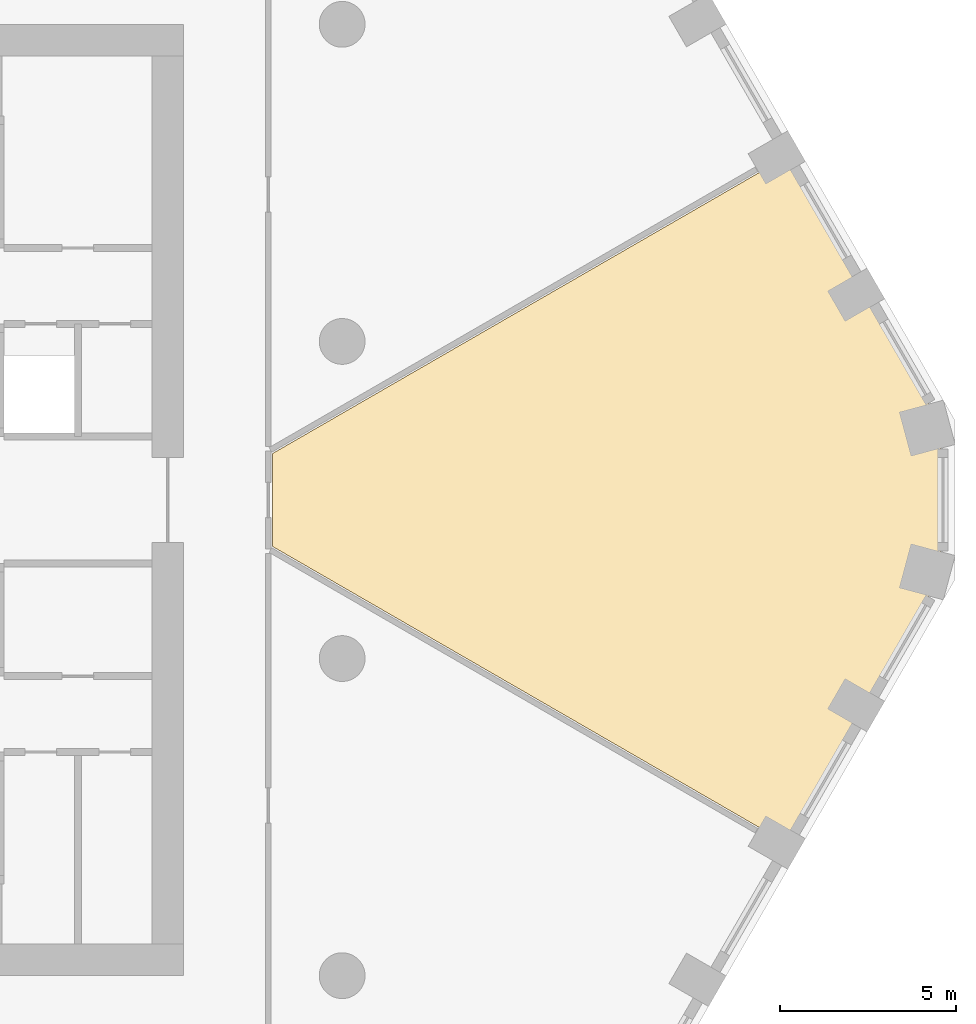
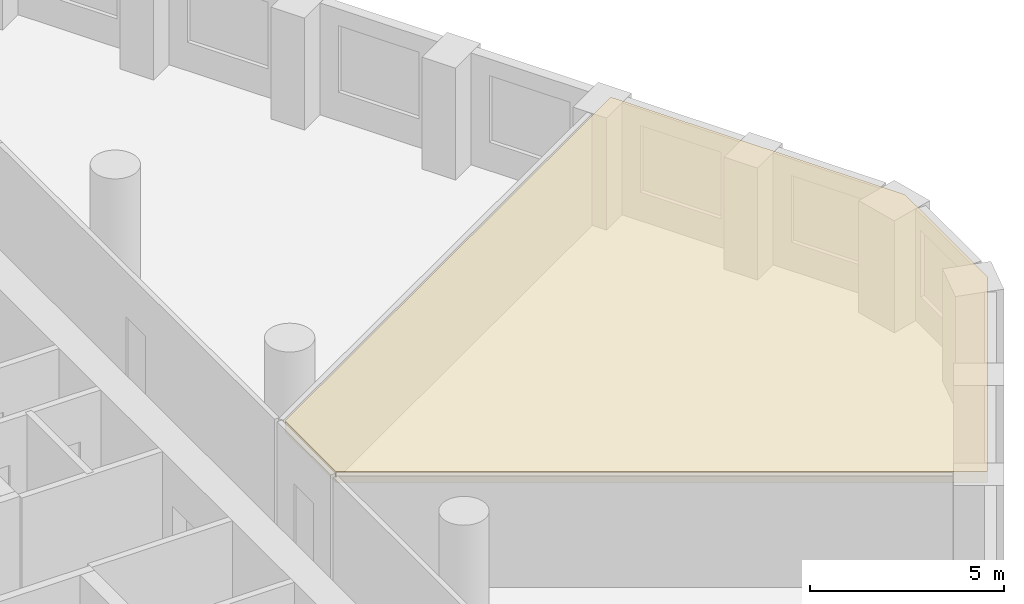
# One storey, part 14 of 14: 1 covering.
"""IFC4 building model written with IfcOpenShell, lengths in metres."""

from ifc_helpers import new_model, si_unit, direction, frame, origin, place, context, subcontext, project, spatial, polyline, outline, extrude, material, layer, layer_set, type_object, element, save


model = new_model("IFC4")

# Units and contexts
model_context = context("Model", 3, precision=1e-05, world=origin(), true_north=direction((0.0, 1.0)))
body_context = subcontext(model_context, "Body", "Model", "MODEL_VIEW")
ifc_project = project(units=[si_unit("LENGTHUNIT", "METRE"), si_unit("AREAUNIT", "SQUARE_METRE"), si_unit("VOLUMEUNIT", "CUBIC_METRE"), si_unit("PLANEANGLEUNIT", "RADIAN"), si_unit("MASSUNIT", "GRAM", prefix="KILO")], contexts=[model_context])

# Site, building, storey
site_placement = place(None, origin())
site = spatial("IfcSite", under=ifc_project, at=site_placement, CompositionType="ELEMENT")
building_placement = place(site_placement, origin())
building = spatial("IfcBuilding", under=site, at=building_placement, Name="Dhurran Vertical Campus", CompositionType="ELEMENT")
storey_placement = place(building_placement, frame((0.0, 0.0, 96.89990234375)))
storey = spatial("IfcBuildingStorey", under=building, at=storey_placement, Name="L23", CompositionType="ELEMENT", Elevation=96.89990234375)

# Covering
ifc_material = material(Name="Mineral fibre ceiling tiles on suspended grid")
ifc_layer = layer(ifc_material, 0.35009765625)
ifc_layer_set = layer_set([ifc_layer], Name="Mineral fibre ceiling tiles on suspended grid")
covering_type = type_object("IfcCoveringType", Name="fl-CE-350 suspended ceiling", PredefinedType="CEILING", material=ifc_layer_set)
covering_placement = place(storey_placement, frame((0.0, 0.0, 3.175048828125)))
element("IfcCovering", 1, at=covering_placement, inside=storey, type_object=covering_type, Name="Ceiling 23-19", PredefinedType="CEILING", context=body_context, shape_type="SweptSolid", body=[
    extrude(outline(polyline([(20.52001953125, -1.31689453125), (20.52001953125, 1.31689453125), (35.093017578125, 9.72998046875), (39.47705078125, 2.137939453125), (39.47705078125, -2.137939453125), (35.093017578125, -9.72998046875), (20.52001953125, -1.31689453125)])), origin(), (0.0, 0.0, 1.0), 0.35009765625),
])

save(model, "model.ifc")
